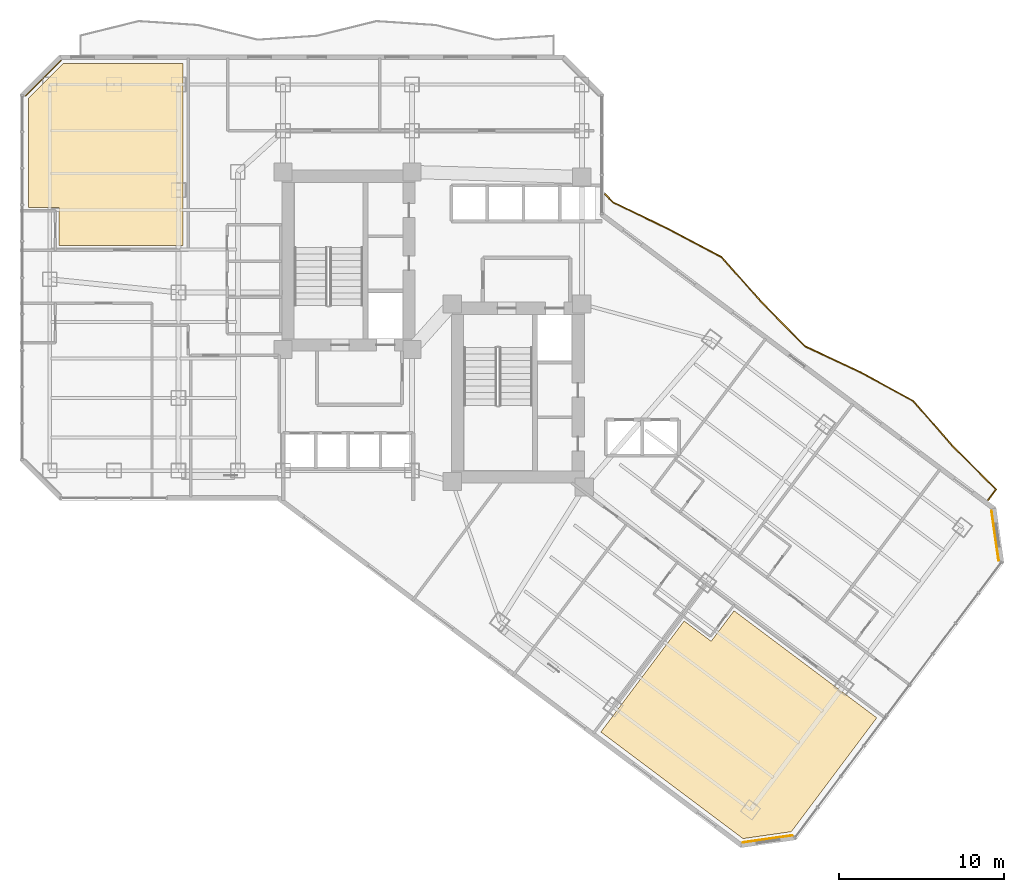
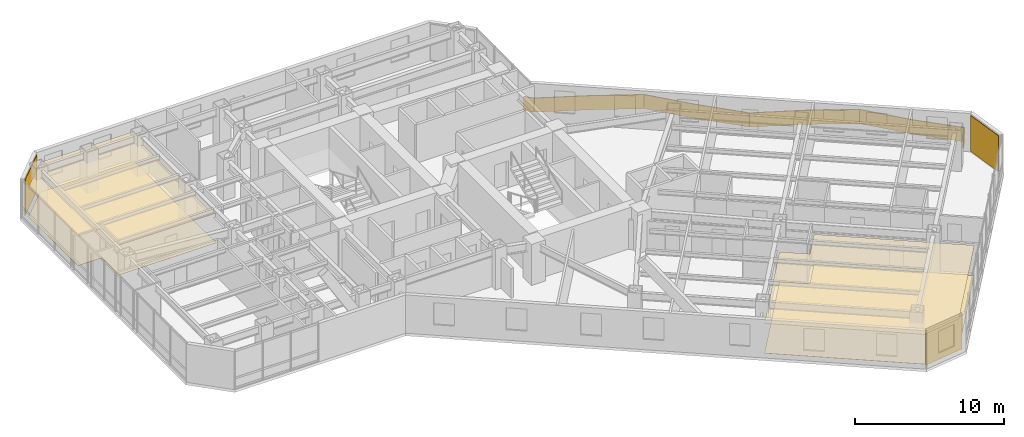
# One storey, part 29 of 31: 7 coverings, 1 railing.
"""IFC4 building model written with IfcOpenShell, lengths in metres."""

from ifc_helpers import new_model, si_unit, direction, frame, origin, origin_2d, place, context, subcontext, project, spatial, polyline, rectangle, outline, extrude, material, layer, layer_set, type_object, element, save


model = new_model("IFC4")

# Units and contexts
model_context = context("Model", 3, precision=1e-05, world=origin(), true_north=direction((0.0, 1.0)))
body_context = subcontext(model_context, "Body", "Model", "MODEL_VIEW")
ifc_project = project(units=[si_unit("LENGTHUNIT", "METRE"), si_unit("AREAUNIT", "SQUARE_METRE"), si_unit("VOLUMEUNIT", "CUBIC_METRE"), si_unit("PLANEANGLEUNIT", "RADIAN"), si_unit("MASSUNIT", "GRAM", prefix="KILO")], contexts=[model_context])

# Site, building, storey
site_placement = place(None, origin())
site = spatial("IfcSite", under=ifc_project, at=site_placement, CompositionType="ELEMENT")
building_placement = place(site_placement, origin())
building = spatial("IfcBuilding", under=site, at=building_placement, Name="Hatsunagi Terrace Concourse", CompositionType="ELEMENT")
storey_placement = place(building_placement, frame((0.0, 0.0, 77.949951171875)))
storey = spatial("IfcBuildingStorey", under=building, at=storey_placement, Name="L20", CompositionType="ELEMENT", Elevation=77.949951171875)

# Covering
ifc_material_1 = material(Name="Acoustic mineral board", Category="gypsum")
ifc_layer_1 = layer(ifc_material_1, 0.02001953125)
ifc_layer_set_1 = layer_set([ifc_layer_1], Name="AcousticMineralCeiling_20")
covering_type_1 = type_object("IfcCoveringType", Name="AcousticMineralCeiling_20", PredefinedType="CEILING", material=ifc_layer_set_1)
covering_1_placement = place(storey_placement, frame((0.0, 0.0, 2.420166015625)))
element("IfcCovering", 1, at=covering_1_placement, inside=storey, type_object=covering_type_1, Name="Suspended Ceiling L20-2", PredefinedType="CEILING", context=body_context, shape_type="SweptSolid", body=[
    extrude(outline(polyline([(10.1298828125, 47.780029296875), (10.1298828125, 41.157958984375), (11.9560546875, 41.155029296875), (11.9580078125, 38.85009765625), (19.489990234375, 38.85009765625), (19.489990234375, 49.8701171875), (12.219970703125, 49.8701171875), (10.1298828125, 47.780029296875)])), origin(), (0.0, 0.0, 1.0), 0.019775390625),
])

# Railing
ifc_material_2 = material(Name="Laminated Glass and Stainless Steel Guard", Category="steel")
ifc_layer_2 = layer(ifc_material_2, 0.070068359375)
ifc_layer_set_2 = layer_set([ifc_layer_2], Name="BalconyGlassGuardRail_1150")
railing_type = type_object("IfcRailingType", Name="BalconyGlassGuardRail_1150", PredefinedType="BALUSTRADE", material=ifc_layer_set_2)
railing_placement = place(storey_placement, origin())
element("IfcRailing", 2, at=railing_placement, inside=storey, type_object=railing_type, Name="Engawa Balcony Guard GRD-01 L20-BSE-1", PredefinedType="BALUSTRADE", context=body_context, shape_type="SweptSolid", body=[
    extrude(outline(polyline([(45.0712890625, 41.998291015625), (45.020751953125, 41.94970703125), (45.518310546875, 41.43310546875), (48.8701171875, 39.82373046875), (52.10400390625, 38.10791015625), (54.557373046875, 35.34716796875), (57.1484375, 32.717041015625), (60.519287109375, 31.1337890625), (63.725830078125, 29.38330078125), (66.16259765625, 26.596923828125), (68.716796875, 24.063720703125), (68.241943359375, 23.430908203125), (68.298095703125, 23.388916015625), (68.809326171875, 24.0703125), (66.21337890625, 26.64501953125), (63.770263671875, 29.438720703125), (60.55078125, 31.1962890625), (57.189453125, 32.77490234375), (54.608642578125, 35.39501953125), (52.14794921875, 38.1640625), (48.90185546875, 39.88623046875), (45.559814453125, 41.49072265625), (45.0712890625, 41.998291015625)])), origin(), (0.0, 0.0, 1.0), 1.150146484375),
])

# Coverings
ifc_material_3 = material(Name="Hardwood timber", Category="wood")
ifc_layer_3 = layer(ifc_material_3, 0.014892578125)
ifc_layer_set_3 = layer_set([ifc_layer_3], Name="HardwoodTimberFlooring_15")
covering_type_2 = type_object("IfcCoveringType", Name="HardwoodTimberFlooring_15", PredefinedType="FLOORING", material=ifc_layer_set_3)
covering_2_placement = place(storey_placement, origin())
element("IfcCovering", 3, at=covering_2_placement, inside=storey, type_object=covering_type_2, Name="Finished Flooring L20-1", PredefinedType="FLOORING", context=body_context, shape_type="SweptSolid", body=[
    extrude(outline(polyline([(56.347900390625, 3.31396484375), (61.52587890625, 10.218017578125), (52.8759765625, 16.705078125), (51.491943359375, 14.862060546875), (49.85302734375, 16.087890625), (44.805908203125, 9.35791015625), (53.422119140625, 2.89599609375), (56.347900390625, 3.31396484375)])), origin(), (0.0, 0.0, 1.0), 0.01513671875),
])
covering_3_placement = place(storey_placement, origin())
element("IfcCovering", 4, at=covering_3_placement, inside=storey, type_object=covering_type_2, Name="Finished Flooring L20-2", PredefinedType="FLOORING", context=body_context, shape_type="SweptSolid", body=[
    extrude(outline(polyline([(10.1298828125, 47.780029296875), (10.1298828125, 41.157958984375), (11.9560546875, 41.155029296875), (11.9580078125, 38.85009765625), (19.489990234375, 38.85009765625), (19.489990234375, 49.8701171875), (12.219970703125, 49.8701171875), (10.1298828125, 47.780029296875)])), origin(), (0.0, 0.0, 1.0), 0.01513671875),
])
ifc_material_4 = material(Name="Unglazed Warm Terracotta Rainscreen Tile", Category="masonry")
ifc_layer_4 = layer(ifc_material_4, 0.044921875)
ifc_layer_set_4 = layer_set([ifc_layer_4], Name="TerracottaRainscreenCladding_45")
covering_type_3 = type_object("IfcCoveringType", Name="TerracottaRainscreenCladding_45", PredefinedType="CLADDING", material=ifc_layer_set_4)
for number, where, z_axis, x_axis, name in (
    (5, (68.700927734375, 21.258056640625, 0.10009765625), (0.0, 0.0, 1.0), (0.141250262458, -0.989973920543, 0.0), "Terracotta Rainscreen Cladding L20-02"),
    (6, (54.91796875, 2.87890625, 0.10009765625), (0.0, 0.0, 1.0), (-0.989973920543, -0.141250262458, 0.0), "Terracotta Rainscreen Cladding L20-04"),
    (7, (11.013916015625, 48.986083984375, 0.10009765625), (0.0, 0.0, 1.0), (0.707106781187, 0.707106781187, 0.0), "Terracotta Rainscreen Cladding L20-10"),
):
    element("IfcCovering", number, at=place(storey_placement, frame(where, z_axis=z_axis, x_axis=x_axis)), inside=storey, type_object=covering_type_3, Name=name, PredefinedType="CLADDING", context=body_context, shape_type="SweptSolid", body=[
        extrude(rectangle(XDim=3.0380859375, YDim=0.044921875, at=origin_2d()), origin(), (0.0, 0.0, 1.0), 2.929931640625),
    ])
ifc_material_5 = material(Name="Hardwood timber", Category="wood")
ifc_layer_5 = layer(ifc_material_5, 0.034912109375)
ifc_layer_set_5 = layer_set([ifc_layer_5], Name="TimberBaffleCeiling_35")
covering_type_4 = type_object("IfcCoveringType", Name="TimberBaffleCeiling_35", PredefinedType="CEILING", material=ifc_layer_set_5)
covering_4_placement = place(storey_placement, frame((0.0, 0.0, 2.420166015625)))
element("IfcCovering", 8, at=covering_4_placement, inside=storey, type_object=covering_type_4, Name="Suspended Ceiling L20-1", PredefinedType="CEILING", context=body_context, shape_type="SweptSolid", body=[
    extrude(outline(polyline([(56.347900390625, 3.31396484375), (61.52587890625, 10.218017578125), (52.8759765625, 16.705078125), (51.491943359375, 14.862060546875), (49.85302734375, 16.087890625), (44.805908203125, 9.35791015625), (53.422119140625, 2.89599609375), (56.347900390625, 3.31396484375)])), origin(), (0.0, 0.0, 1.0), 0.034912109375),
])

save(model, "model.ifc")
